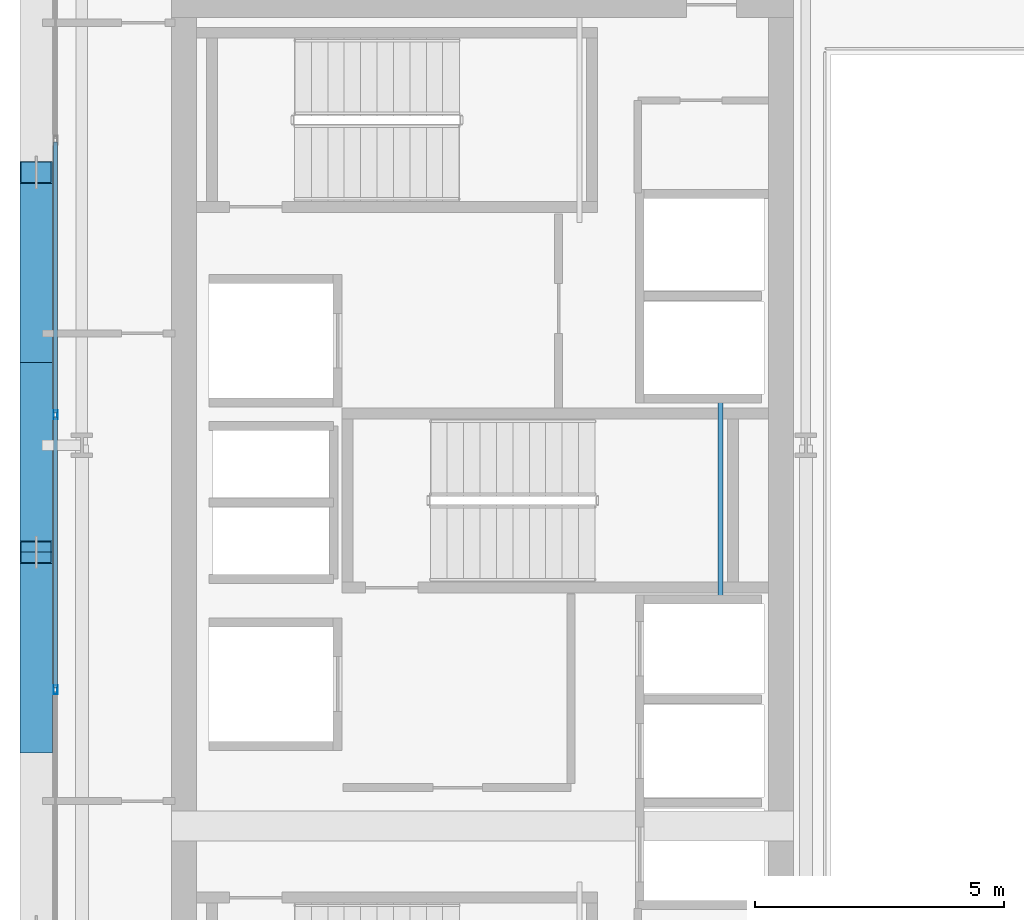
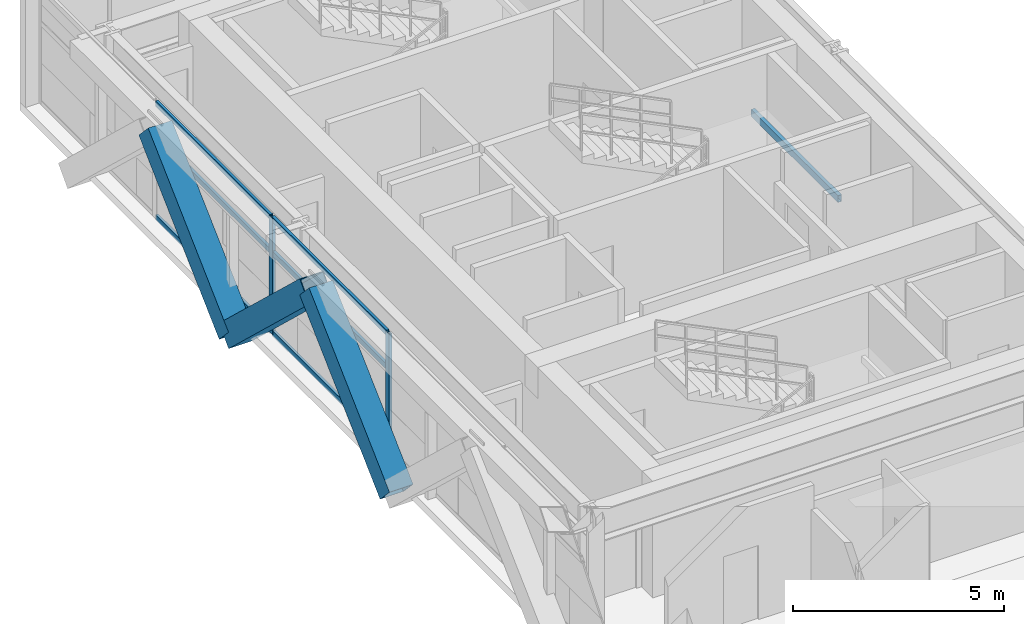
# One storey, part 7 of 30: 11 members, 1 beam, 1 element without a shape of its own.
"""IFC4 building model written with IfcOpenShell, lengths in metres."""

from ifc_helpers import new_model, si_unit, direction, frame, origin, origin_2d, place, context, subcontext, project, spatial, hollow_rectangle, extrude, source, transform, mapped, material, layer, layer_set, material_profile, profile_set, type_object, element, aggregate, save


model = new_model("IFC4")

# Units and contexts
model_context = context("Model", 3, precision=1e-05, world=origin(), true_north=direction((0.0, 1.0)))
body_context = subcontext(model_context, "Body", "Model", "MODEL_VIEW")
ifc_project = project(units=[si_unit("LENGTHUNIT", "METRE"), si_unit("AREAUNIT", "SQUARE_METRE"), si_unit("VOLUMEUNIT", "CUBIC_METRE"), si_unit("PLANEANGLEUNIT", "RADIAN"), si_unit("MASSUNIT", "GRAM", prefix="KILO")], contexts=[model_context])

# Site, building, storey
site_placement = place(None, origin())
site = spatial("IfcSite", under=ifc_project, at=site_placement, CompositionType="ELEMENT")
building_placement = place(site_placement, origin())
building = spatial("IfcBuilding", under=site, at=building_placement, Name="Ocotamira Hotel", CompositionType="ELEMENT")
storey_placement = place(building_placement, frame((0.0, 0.0, 195.60009765625)))
storey = spatial("IfcBuildingStorey", under=building, at=storey_placement, Name="L49", CompositionType="ELEMENT", Elevation=195.60009765625)

# Beam
ifc_material_1 = material(Name="Steel ASTM A500 Grade C", Category="steel")
ifc_material_profile_1 = material_profile(ifc_material_1, hollow_rectangle(XDim=0.10009765625, YDim=0.199951171875, WallThickness=0.008056640625, at=origin_2d()), Name="HSS200X100X8")
ifc_profile_set_1 = profile_set([ifc_material_profile_1], Name="Steel ASTM A500 Grade C")
beam_type = type_object("IfcBeamType", Name="BM-STLDG-HSS200", PredefinedType="BEAM", material=ifc_profile_set_1)
shared_shape_1 = source(origin(), body_context, "Body", "SweptSolid", [
    extrude(hollow_rectangle(XDim=0.10009765625, YDim=0.199951171875, WallThickness=0.008056640625, at=origin_2d()), origin(), (0.0, 0.0, 1.0), 4.1201171875),
])
beam_placement = place(storey_placement, frame((21.780029296875, 24.97998046875, 1.5), z_axis=(0.0, 1.0, 0.0), x_axis=(-1.0, 0.0, 0.0)))
element("IfcBeam", 1, at=beam_placement, inside=storey, type_object=beam_type, Name="L49 Stair ST-3 Landing Bearer 1", PredefinedType="BEAM", context=body_context, shape_type="MappedRepresentation", body=[
    mapped(shared_shape_1, transform((0.0, 0.0, 0.0), scale=1.0)),
])

# Members
ifc_material_2 = material(Name="Pale-metal coated steel ASTM A913 Grade 65", Category="steel")
ifc_material_profile_2 = material_profile(ifc_material_2, hollow_rectangle(XDim=0.64990234375, YDim=0.64990234375, WallThickness=0.02197265625, at=origin_2d()), Name="BOX650X650X22")
ifc_profile_set_2 = profile_set([ifc_material_profile_2], Name="Pale-metal coated steel ASTM A913 Grade 65")
member_type_1 = type_object("IfcMemberType", Name="MEM-EXO-BOX650", PredefinedType="BRACE", material=ifc_profile_set_2)
shared_shape_2 = source(origin(), body_context, "Body", "SweptSolid", [
    extrude(hollow_rectangle(XDim=0.64990234375, YDim=0.64990234375, WallThickness=0.02197265625, at=origin_2d()), origin(), (0.0, 0.0, 1.0), 5.24658203125),
])
for number, where, z_axis, x_axis, name in (
    (2, (8.030029296875, 22.183349609375, -0.47998046875), (0.0, 0.72746596067, 0.686143772154), (-1.0, 0.0, 0.0), "L49 Exoskeleton Diagrid W1.1"),
    (3, (8.030029296875, 29.816650390625, -0.47998046875), (0.0, -0.72746596067, 0.686143772154), (1.0, 0.0, 0.0), "L49 Exoskeleton Diagrid W1.2"),
    (4, (8.030029296875, 29.816650390625, -0.47998046875), (0.0, 0.72746596067, 0.686143772154), (-1.0, 0.0, 0.0), "L49 Exoskeleton Diagrid W2.1"),
):
    element("IfcMember", number, at=place(storey_placement, frame(where, z_axis=z_axis, x_axis=x_axis)), inside=storey, type_object=member_type_1, Name=name, PredefinedType="BRACE", context=body_context, shape_type="MappedRepresentation", body=[
        mapped(shared_shape_2, transform((0.0, 0.0, 0.0), scale=1.0)),
    ])

# Curtain wall, members
ifc_material_3 = material(Name="Anodised pale-metal aluminium and solar glass", Category="aluminium")
ifc_layer = layer(ifc_material_3, 0.199951171875)
ifc_layer_set = layer_set([ifc_layer], Name="Anodised pale-metal aluminium and solar glass")
curtain_wall_type = type_object("IfcCurtainWallType", Name="CW-SYS4-Z3", PredefinedType="NOTDEFINED", material=ifc_layer_set)
curtain_wall_placement = place(storey_placement, origin())
curtain_wall = element("IfcCurtainWall", 5, at=curtain_wall_placement, inside=storey, type_object=curtain_wall_type, Name="L49 Curtain Wall CW-4 CW-L49-W", PredefinedType="NOTDEFINED")
ifc_material_4 = material(Name="Anodised pale-metal aluminium 6063-T6", Category="aluminium")
ifc_material_profile_3 = material_profile(ifc_material_4, hollow_rectangle(XDim=0.074951171875, YDim=0.14990234375, WallThickness=0.006103515625, at=origin_2d()), Name="HSS150X75X6")
ifc_profile_set_3 = profile_set([ifc_material_profile_3], Name="Anodised pale-metal aluminium 6063-T6")
member_type_2 = type_object("IfcMemberType", Name="CWT-150X75", PredefinedType="USERDEFINED", material=ifc_profile_set_3)
shared_shape_3 = source(origin(), body_context, "Body", "SweptSolid", [
    extrude(hollow_rectangle(XDim=0.074951171875, YDim=0.14990234375, WallThickness=0.006103515625, at=origin_2d()), origin(), (0.0, 0.0, 1.0), 5.43994140625),
])
member_1_placement = place(storey_placement, frame((8.419921875, 23.280029296875, 0.037353515625), z_axis=(0.0, 1.0, 0.0), x_axis=(-1.0, 0.0, 0.0)))
member_1 = element("IfcMember", 6, at=member_1_placement, type_object=member_type_2, Name="CW-4 transom 3.1", ObjectType="TRANSOM", PredefinedType="USERDEFINED", context=body_context, shape_type="MappedRepresentation", body=[
    mapped(shared_shape_3, transform((0.0, 0.0, 0.0), scale=1.0)),
])
member_2_placement = place(storey_placement, frame((8.419921875, 23.280029296875, 2.349853515625), z_axis=(0.0, 1.0, 0.0), x_axis=(-1.0, 0.0, 0.0)))
member_2 = element("IfcMember", 7, at=member_2_placement, type_object=member_type_2, Name="CW-4 transom 3.2", ObjectType="TRANSOM", PredefinedType="USERDEFINED", context=body_context, shape_type="MappedRepresentation", body=[
    mapped(shared_shape_3, transform((0.0, 0.0, 0.0), scale=1.0)),
])
member_3_placement = place(storey_placement, frame((8.419921875, 23.280029296875, 3.33251953125), z_axis=(0.0, 1.0, 0.0), x_axis=(-1.0, 0.0, 0.0)))
member_3 = element("IfcMember", 8, at=member_3_placement, type_object=member_type_2, Name="CW-4 transom 3.3", ObjectType="TRANSOM", PredefinedType="USERDEFINED", context=body_context, shape_type="MappedRepresentation", body=[
    mapped(shared_shape_3, transform((0.0, 0.0, 0.0), scale=1.0)),
])
member_4_placement = place(storey_placement, frame((8.419921875, 28.800048828125, 0.037353515625), z_axis=(0.0, 1.0, 0.0), x_axis=(-1.0, 0.0, 0.0)))
member_4 = element("IfcMember", 9, at=member_4_placement, type_object=member_type_2, Name="CW-4 transom 4.1", ObjectType="TRANSOM", PredefinedType="USERDEFINED", context=body_context, shape_type="MappedRepresentation", body=[
    mapped(shared_shape_3, transform((0.0, 0.0, 0.0), scale=1.0)),
])
member_5_placement = place(storey_placement, frame((8.419921875, 28.800048828125, 2.349853515625), z_axis=(0.0, 1.0, 0.0), x_axis=(-1.0, 0.0, 0.0)))
member_5 = element("IfcMember", 10, at=member_5_placement, type_object=member_type_2, Name="CW-4 transom 4.2", ObjectType="TRANSOM", PredefinedType="USERDEFINED", context=body_context, shape_type="MappedRepresentation", body=[
    mapped(shared_shape_3, transform((0.0, 0.0, 0.0), scale=1.0)),
])
member_6_placement = place(storey_placement, frame((8.419921875, 28.800048828125, 3.33251953125), z_axis=(0.0, 1.0, 0.0), x_axis=(-1.0, 0.0, 0.0)))
member_6 = element("IfcMember", 11, at=member_6_placement, type_object=member_type_2, Name="CW-4 transom 4.3", ObjectType="TRANSOM", PredefinedType="USERDEFINED", context=body_context, shape_type="MappedRepresentation", body=[
    mapped(shared_shape_3, transform((0.0, 0.0, 0.0), scale=1.0)),
])
ifc_material_profile_4 = material_profile(ifc_material_4, hollow_rectangle(XDim=0.080078125, YDim=0.179931640625, WallThickness=0.006103515625, at=origin_2d()), Name="HSS180X80X6")
ifc_profile_set_4 = profile_set([ifc_material_profile_4], Name="Anodised pale-metal aluminium 6063-T6")
member_type_3 = type_object("IfcMemberType", Name="CWM-180X75", PredefinedType="MULLION", material=ifc_profile_set_4)
shared_shape_4 = source(origin(), body_context, "Body", "SweptSolid", [
    extrude(hollow_rectangle(XDim=0.080078125, YDim=0.179931640625, WallThickness=0.006103515625, at=origin_2d()), origin(), (0.0, 0.0, 1.0), 3.369873046875),
])
member_7_placement = place(storey_placement, frame((8.419921875, 23.239990234375, 0.0), z_axis=(0.0, 0.0, 1.0), x_axis=(-1.0, 0.0, 0.0)))
member_7 = element("IfcMember", 12, at=member_7_placement, type_object=member_type_3, Name="CW-4 mullion 3", PredefinedType="MULLION", context=body_context, shape_type="MappedRepresentation", body=[
    mapped(shared_shape_4, transform((0.0, 0.0, 0.0), scale=1.0)),
])
member_8_placement = place(storey_placement, frame((8.419921875, 28.760009765625, 0.0), z_axis=(0.0, 0.0, 1.0), x_axis=(-1.0, 0.0, 0.0)))
member_8 = element("IfcMember", 13, at=member_8_placement, type_object=member_type_3, Name="CW-4 mullion 4", PredefinedType="MULLION", context=body_context, shape_type="MappedRepresentation", body=[
    mapped(shared_shape_4, transform((0.0, 0.0, 0.0), scale=1.0)),
])
aggregate(curtain_wall, [member_7, member_8, member_1, member_2, member_3, member_4, member_5, member_6])

save(model, "model.ifc")
